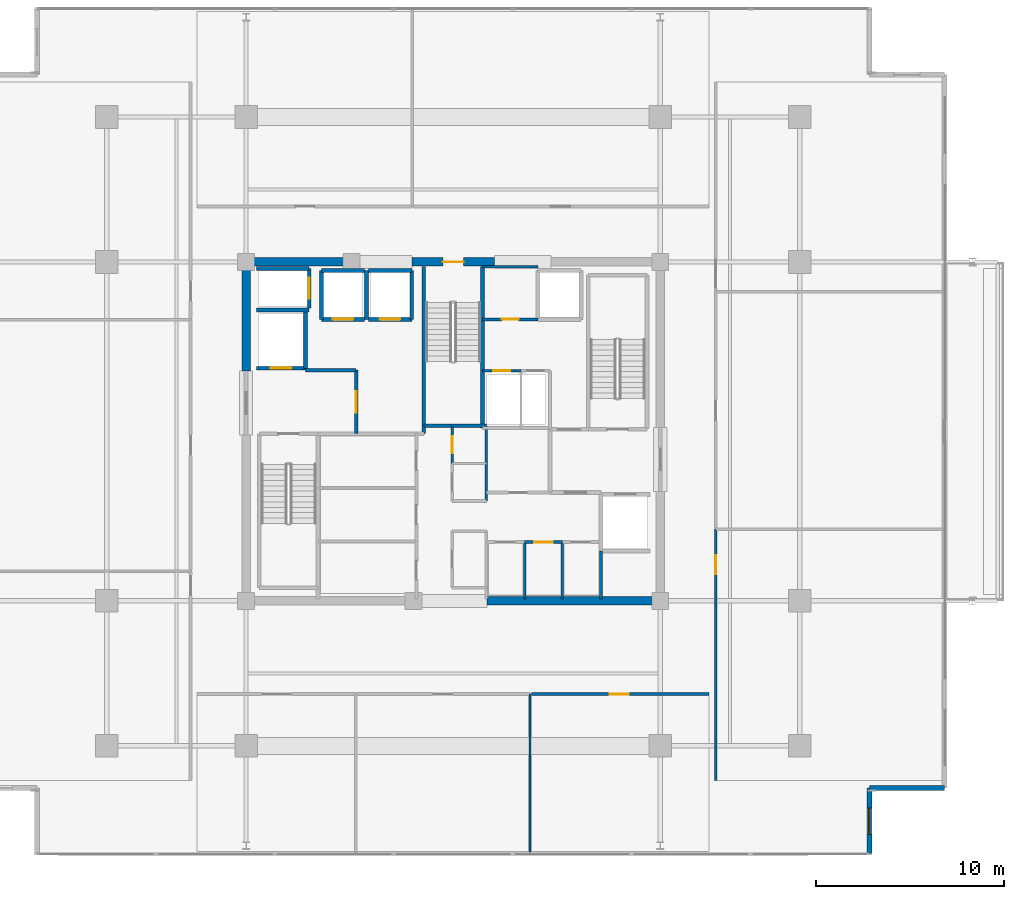
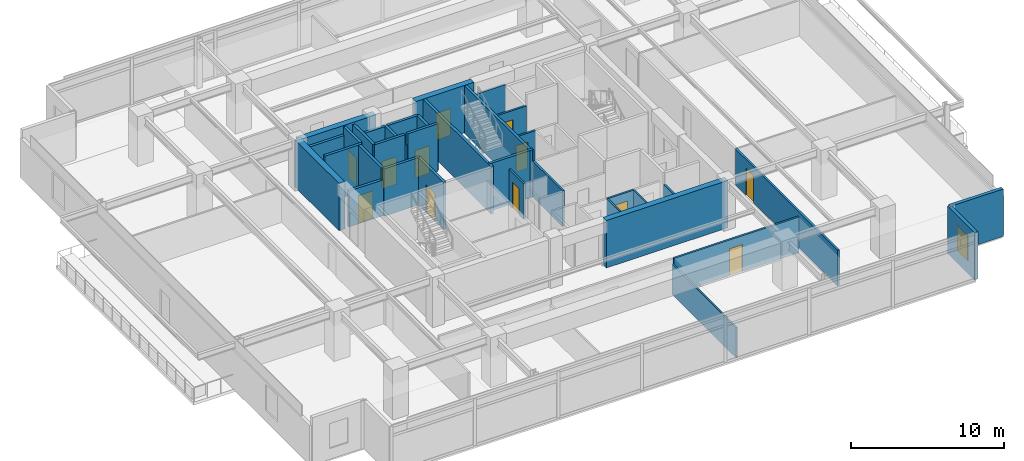
# One storey, part 18 of 24: 35 walls, 12 doors, 1 window, 13 openings.
"""IFC4 building model written with IfcOpenShell, lengths in metres."""

from ifc_helpers import new_model, si_unit, direction, frame, frame_2d, origin, place, context, subcontext, project, spatial, rectangle, extrude, material, layer, layer_set, type_object, element, fill, save


model = new_model("IFC4")

# Units and contexts
model_context = context("Model", 3, precision=1e-05, world=origin(), true_north=direction((0.0, 1.0)))
body_context = subcontext(model_context, "Body", "Model", "MODEL_VIEW")
ifc_project = project(units=[si_unit("LENGTHUNIT", "METRE"), si_unit("AREAUNIT", "SQUARE_METRE"), si_unit("VOLUMEUNIT", "CUBIC_METRE"), si_unit("PLANEANGLEUNIT", "RADIAN"), si_unit("MASSUNIT", "GRAM", prefix="KILO")], contexts=[model_context])

# Site, building, storey
site_placement = place(None, origin())
site = spatial("IfcSite", under=ifc_project, at=site_placement, CompositionType="ELEMENT")
building_placement = place(site_placement, origin())
building = spatial("IfcBuilding", under=site, at=building_placement, Name="Kovane Verandah Tower", CompositionType="ELEMENT")
storey_placement = place(building_placement, frame((0.0, 0.0, 271.199951171875)))
storey = spatial("IfcBuildingStorey", under=building, at=storey_placement, Name="L63", CompositionType="ELEMENT", Elevation=271.199951171875)

# Wall
ifc_material_1 = material(Name="Fire-Rated Gypsum Stud Partition", Category="gypsum")
ifc_layer_1 = layer(ifc_material_1, 0.14990234375)
ifc_layer_set_1 = layer_set([ifc_layer_1], Name="Fire-Rated Gypsum Stud Partition")
wall_type_1 = type_object("IfcWallType", Name="WL-COR-150", PredefinedType="PARTITIONING", material=ifc_layer_set_1)
wall_1_placement = place(storey_placement, frame((41.760009765625, 23.800048828125, 0.0), z_axis=(0.0, 0.0, 1.0), x_axis=(0.0, 1.0, 0.0)))
element("IfcWall", 1, at=wall_1_placement, inside=storey, type_object=wall_type_1, Name="L63 Central Core Strip Upper East Wall", PredefinedType="PARTITIONING", context=body_context, shape_type="SweptSolid", body=[
    extrude(rectangle(XDim=4.0, YDim=0.14990234375, at=frame_2d((2.0, 0.0))), origin(), (0.0, 0.0, 1.0), 2.85009765625),
])

# Wall, opening, door
wall_2_placement = place(storey_placement, frame((39.949951171875, 25.800048828125, 0.0), z_axis=(0.0, 0.0, 1.0), x_axis=(0.0, 1.0, 0.0)))
wall_2 = element("IfcWall", 2, at=wall_2_placement, inside=storey, type_object=wall_type_1, Name="L63 Accessible Unisex Toilet Partition", PredefinedType="PARTITIONING", context=body_context, shape_type="SweptSolid", body=[
    extrude(rectangle(XDim=2.0, YDim=0.14990234375, at=frame_2d((1.0, 0.0))), origin(), (0.0, 0.0, 1.0), 2.85009765625),
])
opening_1_placement = place(wall_2_placement, frame((0.550048828125, 0.0, 0.0)))
opening_1 = element("IfcOpeningElement", 3, at=opening_1_placement, cuts=wall_2, Name="Opening DR-L63-029", PredefinedType="OPENING", context=body_context, shape_type="SweptSolid", body=[
    extrude(rectangle(XDim=0.89990234375, YDim=2.10009765625, at=frame_2d((0.449951171875, 1.050048828125))), frame((0.0, 0.074951171875, 0.0), z_axis=(0.0, -1.0, 0.0), x_axis=(1.0, 0.0, 0.0)), (0.0, 0.0, 1.0), 0.14990234375),
])
ifc_material_2 = material(Name="Moisture-Resistant Laminate Washroom Door", Category="wood")
door_type_1 = type_object("IfcDoorType", Name="DR-WC-900", OperationType="SINGLE_SWING_LEFT", PredefinedType="DOOR", material=ifc_material_2)
door_1_placement = place(opening_1_placement, origin())
door_1 = element("IfcDoor", 4, at=door_1_placement, inside=storey, type_object=door_type_1, Name="L63 Accessible Unisex Toilet Door", OperationType="SINGLE_SWING_LEFT", OverallHeight=2.10009765625, OverallWidth=0.89990234375, PredefinedType="DOOR", context=body_context, shape_type="SweptSolid", body=[
    extrude(rectangle(XDim=0.89990234375, YDim=2.10009765625, at=frame_2d((0.449951171875, 1.050048828125))), frame((0.0, 0.02490234375, 0.0), z_axis=(0.0, -1.0, 0.0), x_axis=(1.0, 0.0, 0.0)), (0.0, 0.0, 1.0), 0.050048828125),
])
fill(opening_1, door_1)

# Wall
wall_3_placement = place(storey_placement, frame((47.85009765625, 18.60009765625, 0.0), z_axis=(0.0, 0.0, 1.0), x_axis=(0.0, 1.0, 0.0)))
element("IfcWall", 5, at=wall_3_placement, inside=storey, type_object=wall_type_1, Name="L63 East Core Support East Wall", PredefinedType="PARTITIONING", context=body_context, shape_type="SweptSolid", body=[
    extrude(rectangle(XDim=2.539794921875, YDim=0.14990234375, at=frame_2d((1.27001953125, 0.0))), origin(), (0.0, 0.0, 1.0), 2.85009765625),
])

# Wall, opening, door
wall_4_placement = place(storey_placement, frame((43.800048828125, 21.6201171875, 0.0), z_axis=(0.0, 0.0, 1.0), x_axis=(1.0, 0.0, 0.0)))
wall_4 = element("IfcWall", 6, at=wall_4_placement, inside=storey, type_object=wall_type_1, Name="L63 First Aid Room Partition", PredefinedType="PARTITIONING", context=body_context, shape_type="SweptSolid", body=[
    extrude(rectangle(XDim=2.0, YDim=0.14990234375, at=frame_2d((1.0, 0.0))), origin(), (0.0, 0.0, 1.0), 2.85009765625),
])
opening_2_placement = place(wall_4_placement, frame((0.5, 0.0, 0.0)))
opening_2 = element("IfcOpeningElement", 7, at=opening_2_placement, cuts=wall_4, Name="Opening DR-L63-018", PredefinedType="OPENING", context=body_context, shape_type="SweptSolid", body=[
    extrude(rectangle(XDim=1.0, YDim=2.14990234375, at=frame_2d((0.5, 1.074951171875))), frame((0.0, 0.074951171875, 0.0), z_axis=(0.0, -1.0, 0.0), x_axis=(1.0, 0.0, 0.0)), (0.0, 0.0, 1.0), 0.14990234375),
])
ifc_material_3 = material(Name="FSC Spotted-Gum Timber Fire-Rated Office Door", Category="wood")
door_type_2 = type_object("IfcDoorType", Name="DR-OFF-1000", OperationType="SINGLE_SWING_LEFT", PredefinedType="DOOR", material=ifc_material_3)
door_2_placement = place(opening_2_placement, origin())
door_2 = element("IfcDoor", 8, at=door_2_placement, inside=storey, type_object=door_type_2, Name="L63 First Aid Room Door", OperationType="SINGLE_SWING_RIGHT", OverallHeight=2.14990234375, OverallWidth=1.0, PredefinedType="DOOR", context=body_context, shape_type="SweptSolid", body=[
    extrude(rectangle(XDim=1.0, YDim=2.14990234375, at=frame_2d((0.5, 1.074951171875))), frame((0.0, 0.02490234375, 0.0), z_axis=(0.0, -1.0, 0.0), x_axis=(1.0, 0.0, 0.0)), (0.0, 0.0, 1.0), 0.050048828125),
])
fill(opening_2, door_2)

wall_5_placement = place(storey_placement, frame((41.56005859375, 30.719970703125, 0.0), z_axis=(0.0, 0.0, 1.0), x_axis=(1.0, 0.0, 0.0)))
wall_5 = element("IfcWall", 9, at=wall_5_placement, inside=storey, type_object=wall_type_1, Name="L63 Electrical Sub-Main Riser Room Partition", PredefinedType="PARTITIONING", context=body_context, shape_type="SweptSolid", body=[
    extrude(rectangle(XDim=2.0400390625, YDim=0.14990234375, at=frame_2d((1.02001953125, 0.0))), origin(), (0.0, 0.0, 1.0), 2.85009765625),
])
opening_3_placement = place(wall_5_placement, frame((0.580078125, 0.0, 0.0)))
opening_3 = element("IfcOpeningElement", 10, at=opening_3_placement, cuts=wall_5, Name="Opening DR-L63-022", PredefinedType="OPENING", context=body_context, shape_type="SweptSolid", body=[
    extrude(rectangle(XDim=0.8798828125, YDim=2.10009765625, at=frame_2d((0.43994140625, 1.050048828125))), frame((0.0, 0.074951171875, 0.0), z_axis=(0.0, -1.0, 0.0), x_axis=(1.0, 0.0, 0.0)), (0.0, 0.0, 1.0), 0.14990234375),
])
ifc_material_4 = material(Name="Fire-Rated Steel Riser Access Door", Category="steel")
door_type_3 = type_object("IfcDoorType", Name="DR-RISER-880", OperationType="SINGLE_SWING_LEFT", PredefinedType="DOOR", material=ifc_material_4)
door_3_placement = place(opening_3_placement, origin())
door_3 = element("IfcDoor", 11, at=door_3_placement, inside=storey, type_object=door_type_3, Name="L63 Electrical Sub-Main Riser Room Door", OperationType="SINGLE_SWING_LEFT", OverallHeight=2.10009765625, OverallWidth=0.8798828125, PredefinedType="DOOR", context=body_context, shape_type="SweptSolid", body=[
    extrude(rectangle(XDim=0.8798828125, YDim=2.10009765625, at=frame_2d((0.43994140625, 1.050048828125))), frame((0.0, 0.02490234375, 0.0), z_axis=(0.0, -1.0, 0.0), x_axis=(1.0, 0.0, 0.0)), (0.0, 0.0, 1.0), 0.050048828125),
])
fill(opening_3, door_3)

# Wall
wall_6_placement = place(storey_placement, frame((41.56005859375, 36.25, 0.0), z_axis=(0.0, 0.0, 1.0), x_axis=(1.0, 0.0, 0.0)))
element("IfcWall", 12, at=wall_6_placement, inside=storey, type_object=wall_type_1, Name="L63 Sky Telecom Riser North Wall", PredefinedType="PARTITIONING", context=body_context, shape_type="SweptSolid", body=[
    extrude(rectangle(XDim=2.93994140625, YDim=0.14990234375, at=frame_2d((1.469970703125, 0.0))), origin(), (0.0, 0.0, 1.0), 2.85009765625),
])

# Wall, opening, door
wall_7_placement = place(storey_placement, frame((41.56005859375, 33.449951171875, 0.0), z_axis=(0.0, 0.0, 1.0), x_axis=(1.0, 0.0, 0.0)))
wall_7 = element("IfcWall", 13, at=wall_7_placement, inside=storey, type_object=wall_type_1, Name="L63 Sky Telecom Riser Room Partition", PredefinedType="PARTITIONING", context=body_context, shape_type="SweptSolid", body=[
    extrude(rectangle(XDim=2.93994140625, YDim=0.14990234375, at=frame_2d((1.469970703125, 0.0))), origin(), (0.0, 0.0, 1.0), 2.85009765625),
])
opening_4_placement = place(wall_7_placement, frame((1.030029296875, 0.0, 0.0)))
opening_4 = element("IfcOpeningElement", 14, at=opening_4_placement, cuts=wall_7, Name="Opening DR-L63-021", PredefinedType="OPENING", context=body_context, shape_type="SweptSolid", body=[
    extrude(rectangle(XDim=0.8798828125, YDim=2.10009765625, at=frame_2d((0.43994140625, 1.050048828125))), frame((0.0, 0.074951171875, 0.0), z_axis=(0.0, -1.0, 0.0), x_axis=(1.0, 0.0, 0.0)), (0.0, 0.0, 1.0), 0.14990234375),
])
door_4_placement = place(opening_4_placement, origin())
door_4 = element("IfcDoor", 15, at=door_4_placement, inside=storey, type_object=door_type_3, Name="L63 Sky Telecom Riser Room Door", OperationType="SINGLE_SWING_LEFT", OverallHeight=2.10009765625, OverallWidth=0.8798828125, PredefinedType="DOOR", context=body_context, shape_type="SweptSolid", body=[
    extrude(rectangle(XDim=0.8798828125, YDim=2.10009765625, at=frame_2d((0.43994140625, 1.050048828125))), frame((0.0, 0.02490234375, 0.0), z_axis=(0.0, -1.0, 0.0), x_axis=(1.0, 0.0, 0.0)), (0.0, 0.0, 1.0), 0.050048828125),
])
fill(opening_4, door_4)

wall_8_placement = place(storey_placement, frame((44.14990234375, 13.550048828125, 0.0), z_axis=(0.0, 0.0, 1.0), x_axis=(1.0, 0.0, 0.0)))
wall_8 = element("IfcWall", 16, at=wall_8_placement, inside=storey, type_object=wall_type_1, Name="L63 Focus Studio S3 Corridor Partition", PredefinedType="PARTITIONING", context=body_context, shape_type="SweptSolid", body=[
    extrude(rectangle(XDim=9.4501953125, YDim=0.14990234375, at=frame_2d((4.72509765625, 0.0))), origin(), (0.0, 0.0, 1.0), 2.85009765625),
])
opening_5_placement = place(wall_8_placement, frame((4.175048828125, 0.0, 0.0)))
opening_5 = element("IfcOpeningElement", 17, at=opening_5_placement, cuts=wall_8, Name="Opening DR-L63-028", PredefinedType="OPENING", context=body_context, shape_type="SweptSolid", body=[
    extrude(rectangle(XDim=1.0, YDim=2.14990234375, at=frame_2d((0.5, 1.074951171875))), frame((0.0, 0.074951171875, 0.0), z_axis=(0.0, -1.0, 0.0), x_axis=(1.0, 0.0, 0.0)), (0.0, 0.0, 1.0), 0.14990234375),
])
door_5_placement = place(opening_5_placement, origin())
door_5 = element("IfcDoor", 18, at=door_5_placement, inside=storey, type_object=door_type_2, Name="L63 Focus Studio S3 Entrance Door", OperationType="SINGLE_SWING_RIGHT", OverallHeight=2.14990234375, OverallWidth=1.0, PredefinedType="DOOR", context=body_context, shape_type="SweptSolid", body=[
    extrude(rectangle(XDim=1.0, YDim=2.14990234375, at=frame_2d((0.5, 1.074951171875))), frame((0.0, 0.02490234375, 0.0), z_axis=(0.0, -1.0, 0.0), x_axis=(1.0, 0.0, 0.0)), (0.0, 0.0, 1.0), 0.050048828125),
])
fill(opening_5, door_5)

wall_9_placement = place(storey_placement, frame((53.949951171875, 8.950439453125, 0.0), z_axis=(0.0, 0.0, 1.0), x_axis=(0.0, 1.0, 0.0)))
wall_9 = element("IfcWall", 19, at=wall_9_placement, inside=storey, type_object=wall_type_1, Name="L63 Open Plan Office E1 Corridor Partition", PredefinedType="PARTITIONING", context=body_context, shape_type="SweptSolid", body=[
    extrude(rectangle(XDim=13.355712890625, YDim=0.14990234375, at=frame_2d((6.677734375, 0.0))), origin(), (0.0, 0.0, 1.0), 2.85009765625),
])
opening_6_placement = place(wall_9_placement, frame((10.9677734375, 0.0, 0.0)))
opening_6 = element("IfcOpeningElement", 20, at=opening_6_placement, cuts=wall_9, Name="Opening DR-L63-011", PredefinedType="OPENING", context=body_context, shape_type="SweptSolid", body=[
    extrude(rectangle(XDim=1.0, YDim=2.14990234375, at=frame_2d((0.5, 1.074951171875))), frame((0.0, 0.074951171875, 0.0), z_axis=(0.0, -1.0, 0.0), x_axis=(1.0, 0.0, 0.0)), (0.0, 0.0, 1.0), 0.14990234375),
])
door_6_placement = place(opening_6_placement, origin())
door_6 = element("IfcDoor", 21, at=door_6_placement, inside=storey, type_object=door_type_2, Name="L63 Open Plan Office E1 Entrance Door", OperationType="SINGLE_SWING_RIGHT", OverallHeight=2.14990234375, OverallWidth=1.0, PredefinedType="DOOR", context=body_context, shape_type="SweptSolid", body=[
    extrude(rectangle(XDim=1.0, YDim=2.14990234375, at=frame_2d((0.5, 1.074951171875))), frame((0.0, 0.02490234375, 0.0), z_axis=(0.0, -1.0, 0.0), x_axis=(1.0, 0.0, 0.0)), (0.0, 0.0, 1.0), 0.050048828125),
])
fill(opening_6, door_6)

# Walls
ifc_material_5 = material(Name="Concrete C60/75", Category="concrete")
ifc_layer_2 = layer(ifc_material_5, 0.449951171875)
ifc_layer_set_2 = layer_set([ifc_layer_2], Name="Concrete C60/75")
wall_type_2 = type_object("IfcWallType", Name="WL-CORE-450", PredefinedType="SHEAR", material=ifc_layer_set_2)
wall_10_placement = place(storey_placement, frame((41.800048828125, 18.5, 0.0), z_axis=(0.0, 0.0, 1.0), x_axis=(1.0, 0.0, 0.0)))
element("IfcWall", 22, at=wall_10_placement, inside=storey, type_object=wall_type_2, Name="L63 Core Shear Wall CS-2", PredefinedType="SHEAR", context=body_context, shape_type="SweptSolid", body=[
    extrude(rectangle(XDim=9.199951171875, YDim=0.449951171875, at=frame_2d((4.60009765625, 0.0))), origin(), (0.0, 0.0, 1.0), 3.78515625),
])
wall_11_placement = place(storey_placement, frame((29.0, 36.5, 0.0), z_axis=(0.0, 0.0, 1.0), x_axis=(1.0, 0.0, 0.0)))
element("IfcWall", 23, at=wall_11_placement, inside=storey, type_object=wall_type_2, Name="L63 Core Shear Wall CN-1", PredefinedType="SHEAR", context=body_context, shape_type="SweptSolid", body=[
    extrude(rectangle(XDim=5.800048828125, YDim=0.449951171875, at=frame_2d((2.89990234375, 0.0))), origin(), (0.0, 0.0, 1.0), 3.78515625),
])

# Wall, opening, door
wall_12_placement = place(storey_placement, frame((37.800048828125, 36.5, 0.0), z_axis=(0.0, 0.0, 1.0), x_axis=(1.0, 0.0, 0.0)))
wall_12 = element("IfcWall", 24, at=wall_12_placement, inside=storey, type_object=wall_type_2, Name="L63 Core Shear Wall CN-2", PredefinedType="SHEAR", context=body_context, shape_type="SweptSolid", body=[
    extrude(rectangle(XDim=4.39990234375, YDim=0.449951171875, at=frame_2d((2.199951171875, 0.0))), origin(), (0.0, 0.0, 1.0), 3.78515625),
])
opening_7_placement = place(wall_12_placement, frame((1.64990234375, 0.0, 0.0)))
opening_7 = element("IfcOpeningElement", 25, at=opening_7_placement, cuts=wall_12, Name="Opening DR-L63-010", PredefinedType="OPENING", context=body_context, shape_type="SweptSolid", body=[
    extrude(rectangle(XDim=1.10009765625, YDim=2.14990234375, at=frame_2d((0.550048828125, 1.074951171875))), frame((0.0, 0.22509765625, 0.0), z_axis=(0.0, -1.0, 0.0), x_axis=(1.0, 0.0, 0.0)), (0.0, 0.0, 1.0), 0.449951171875),
])
ifc_material_6 = material(Name="Fire-Rated Steel Exit Door", Category="steel")
door_type_4 = type_object("IfcDoorType", Name="DR-STAIR-1100", OperationType="SINGLE_SWING_LEFT", PredefinedType="DOOR", material=ifc_material_6)
door_7_placement = place(opening_7_placement, origin())
door_7 = element("IfcDoor", 26, at=door_7_placement, inside=storey, type_object=door_type_4, Name="L63 ST-03 Fire Exit Stair Door", OperationType="SINGLE_SWING_RIGHT", OverallHeight=2.14990234375, OverallWidth=1.10009765625, PredefinedType="DOOR", context=body_context, shape_type="SweptSolid", body=[
    extrude(rectangle(XDim=1.10009765625, YDim=2.14990234375, at=frame_2d((0.550048828125, 1.074951171875))), frame((0.0, 0.02490234375, 0.0), z_axis=(0.0, -1.0, 0.0), x_axis=(1.0, 0.0, 0.0)), (0.0, 0.0, 1.0), 0.050048828125),
])
fill(opening_7, door_7)

# Wall
wall_13_placement = place(storey_placement, frame((29.0, 30.699951171875, 0.0), z_axis=(0.0, 0.0, 1.0), x_axis=(0.0, 1.0, 0.0)))
element("IfcWall", 27, at=wall_13_placement, inside=storey, type_object=wall_type_2, Name="L63 Core Shear Wall CW-2", PredefinedType="SHEAR", context=body_context, shape_type="SweptSolid", body=[
    extrude(rectangle(XDim=5.800048828125, YDim=0.449951171875, at=frame_2d((2.89990234375, 0.0))), origin(), (0.0, 0.0, 1.0), 3.78515625),
])

# Wall, opening, door
ifc_material_7 = material(Name="Concrete C45/55 Fire Wall", Category="concrete")
ifc_layer_3 = layer(ifc_material_7, 0.199951171875)
ifc_layer_set_3 = layer_set([ifc_layer_3], Name="Concrete C45/55 Fire Wall")
wall_type_3 = type_object("IfcWallType", Name="WL-FFL-200", PredefinedType="PARTITIONING", material=ifc_layer_set_3)
wall_14_placement = place(storey_placement, frame((34.85009765625, 27.3798828125, 0.0), z_axis=(0.0, 0.0, 1.0), x_axis=(0.0, 1.0, 0.0)))
wall_14 = element("IfcWall", 28, at=wall_14_placement, inside=storey, type_object=wall_type_3, Name="W-L63-FFLW-E", PredefinedType="PARTITIONING", context=body_context, shape_type="SweptSolid", body=[
    extrude(rectangle(XDim=3.3701171875, YDim=0.199951171875, at=frame_2d((1.68505859375, 0.0))), origin(), (0.0, 0.0, 1.0), 3.78515625),
])
opening_8_placement = place(wall_14_placement, frame((1.110107421875, 0.0, 0.0)))
opening_8 = element("IfcOpeningElement", 29, at=opening_8_placement, cuts=wall_14, Name="Opening DR-L63-006", PredefinedType="OPENING", context=body_context, shape_type="SweptSolid", body=[
    extrude(rectangle(XDim=1.14990234375, YDim=2.199951171875, at=frame_2d((0.574951171875, 1.10009765625))), frame((0.0, 0.10009765625, 0.0), z_axis=(0.0, -1.0, 0.0), x_axis=(1.0, 0.0, 0.0)), (0.0, 0.0, 1.0), 0.199951171875),
])
ifc_material_8 = material(Name="Smoke-Sealed Firefighting Lobby Door", Category="steel")
door_type_5 = type_object("IfcDoorType", Name="DR-FFL-1150", OperationType="SINGLE_SWING_LEFT", PredefinedType="DOOR", material=ifc_material_8)
door_8_placement = place(opening_8_placement, origin())
door_8 = element("IfcDoor", 30, at=door_8_placement, inside=storey, type_object=door_type_5, Name="L63 West Firefighting Lobby Inner Door", OperationType="SINGLE_SWING_LEFT", OverallHeight=2.199951171875, OverallWidth=1.14990234375, PredefinedType="DOOR", context=body_context, shape_type="SweptSolid", body=[
    extrude(rectangle(XDim=1.14990234375, YDim=2.199951171875, at=frame_2d((0.574951171875, 1.10009765625))), frame((0.0, 0.02490234375, 0.0), z_axis=(0.0, -1.0, 0.0), x_axis=(1.0, 0.0, 0.0)), (0.0, 0.0, 1.0), 0.050048828125),
])
fill(opening_8, door_8)

# Wall
wall_15_placement = place(storey_placement, frame((32.14990234375, 30.75, 0.0), z_axis=(0.0, 0.0, 1.0), x_axis=(1.0, 0.0, 0.0)))
element("IfcWall", 31, at=wall_15_placement, inside=storey, type_object=wall_type_3, Name="L63 West Firefighting Lobby North Fire Wall", PredefinedType="PARTITIONING", context=body_context, shape_type="SweptSolid", body=[
    extrude(rectangle(XDim=2.7001953125, YDim=0.199951171875, at=frame_2d((1.35009765625, 0.0))), origin(), (0.0, 0.0, 1.0), 3.78515625),
])

# Wall, opening, door
ifc_material_9 = material(Name="Concrete C45/55 Lift Shaft Wall", Category="concrete")
ifc_layer_4 = layer(ifc_material_9, 0.199951171875)
ifc_layer_set_4 = layer_set([ifc_layer_4], Name="Concrete C45/55 Lift Shaft Wall")
wall_type_4 = type_object("IfcWallType", Name="WL-LIFT-200", PredefinedType="SOLIDWALL", material=ifc_layer_set_4)
wall_16_placement = place(storey_placement, frame((29.550048828125, 30.85009765625, 0.0), z_axis=(0.0, 0.0, 1.0), x_axis=(1.0, 0.0, 0.0)))
wall_16 = element("IfcWall", 32, at=wall_16_placement, inside=storey, type_object=wall_type_4, Name="L63 Lift FL-01 S Shaft Wall", PredefinedType="SOLIDWALL", context=body_context, shape_type="SweptSolid", body=[
    extrude(rectangle(XDim=2.599853515625, YDim=0.199951171875, at=frame_2d((1.2998046875, 0.0))), origin(), (0.0, 0.0, 1.0), 2.864990234375),
])
opening_9_placement = place(wall_16_placement, frame((0.75, 0.0, 0.0)))
opening_9 = element("IfcOpeningElement", 33, at=opening_9_placement, cuts=wall_16, Name="Opening LD-L63-001", PredefinedType="OPENING", context=body_context, shape_type="SweptSolid", body=[
    extrude(rectangle(XDim=1.10009765625, YDim=2.199951171875, at=frame_2d((0.550048828125, 1.10009765625))), frame((0.0, 0.10009765625, 0.0), z_axis=(0.0, -1.0, 0.0), x_axis=(1.0, 0.0, 0.0)), (0.0, 0.0, 1.0), 0.199951171875),
])
ifc_material_10 = material(Name="Brushed Stainless Steel Sliding Lift Landing Door", Category="steel")
door_type_6 = type_object("IfcDoorType", Name="DR-LIFT-1100", OperationType="SLIDING_TO_RIGHT", PredefinedType="DOOR", material=ifc_material_10)
door_9_placement = place(opening_9_placement, origin())
door_9 = element("IfcDoor", 34, at=door_9_placement, inside=storey, type_object=door_type_6, Name="L63 Lift FL-01 Sliding Landing Door", OperationType="SLIDING_TO_RIGHT", OverallHeight=2.199951171875, OverallWidth=1.10009765625, PredefinedType="DOOR", context=body_context, shape_type="SweptSolid", body=[
    extrude(rectangle(XDim=1.10009765625, YDim=2.199951171875, at=frame_2d((0.550048828125, 1.10009765625))), frame((0.0, 0.02490234375, 0.0), z_axis=(0.0, -1.0, 0.0), x_axis=(1.0, 0.0, 0.0)), (0.0, 0.0, 1.0), 0.050048828125),
])
fill(opening_9, door_9)

# Walls
wall_17_placement = place(storey_placement, frame((29.550048828125, 33.949951171875, 0.0), z_axis=(0.0, 0.0, 1.0), x_axis=(1.0, 0.0, 0.0)))
element("IfcWall", 35, at=wall_17_placement, inside=storey, type_object=wall_type_4, Name="L63 Lift FL-01 and GL-01 Shared Shaft Wall", PredefinedType="SOLIDWALL", context=body_context, shape_type="SweptSolid", body=[
    extrude(rectangle(XDim=2.800048828125, YDim=0.199951171875, at=frame_2d((1.39990234375, 0.0))), origin(), (0.0, 0.0, 1.0), 3.78515625),
])
wall_18_placement = place(storey_placement, frame((32.14990234375, 30.85009765625, 0.0), z_axis=(0.0, 0.0, 1.0), x_axis=(0.0, 1.0, 0.0)))
element("IfcWall", 36, at=wall_18_placement, inside=storey, type_object=wall_type_4, Name="L63 Lift FL-01 E Shaft Wall", PredefinedType="SOLIDWALL", context=body_context, shape_type="SweptSolid", body=[
    extrude(rectangle(XDim=3.0, YDim=0.199951171875, at=frame_2d((1.5, 0.0))), origin(), (0.0, 0.0, 1.0), 3.78515625),
])
wall_19_placement = place(storey_placement, frame((32.35009765625, 36.14990234375, 0.0), z_axis=(0.0, 0.0, 1.0), x_axis=(-1.0, 0.0, 0.0)))
element("IfcWall", 37, at=wall_19_placement, inside=storey, type_object=wall_type_4, Name="L63 Lift GL-01 N Shaft Wall", PredefinedType="SOLIDWALL", context=body_context, shape_type="SweptSolid", body=[
    extrude(rectangle(XDim=2.800048828125, YDim=0.199951171875, at=frame_2d((1.39990234375, 0.0))), origin(), (0.0, 0.0, 1.0), 3.14794921875),
])

# Wall, opening, door
wall_20_placement = place(storey_placement, frame((32.35009765625, 34.050048828125, 0.0), z_axis=(0.0, 0.0, 1.0), x_axis=(0.0, 1.0, 0.0)))
wall_20 = element("IfcWall", 38, at=wall_20_placement, inside=storey, type_object=wall_type_4, Name="L63 Lift GL-01 E Shaft Wall", PredefinedType="SOLIDWALL", context=body_context, shape_type="SweptSolid", body=[
    extrude(rectangle(XDim=2.099853515625, YDim=0.199951171875, at=frame_2d((1.0498046875, 0.0))), origin(), (0.0, 0.0, 1.0), 3.78515625),
])
opening_10_placement = place(wall_20_placement, frame((0.5, 0.0, 0.0)))
opening_10 = element("IfcOpeningElement", 39, at=opening_10_placement, cuts=wall_20, Name="Opening LD-L63-003", PredefinedType="OPENING", context=body_context, shape_type="SweptSolid", body=[
    extrude(rectangle(XDim=1.10009765625, YDim=2.199951171875, at=frame_2d((0.550048828125, 1.10009765625))), frame((0.0, 0.10009765625, 0.0), z_axis=(0.0, -1.0, 0.0), x_axis=(1.0, 0.0, 0.0)), (0.0, 0.0, 1.0), 0.199951171875),
])
door_10_placement = place(opening_10_placement, origin())
door_10 = element("IfcDoor", 40, at=door_10_placement, inside=storey, type_object=door_type_6, Name="L63 Lift GL-01 Sliding Landing Door", OperationType="SLIDING_TO_RIGHT", OverallHeight=2.199951171875, OverallWidth=1.10009765625, PredefinedType="DOOR", context=body_context, shape_type="SweptSolid", body=[
    extrude(rectangle(XDim=1.10009765625, YDim=2.199951171875, at=frame_2d((0.550048828125, 1.10009765625))), frame((0.0, 0.02490234375, 0.0), z_axis=(0.0, -1.0, 0.0), x_axis=(1.0, 0.0, 0.0)), (0.0, 0.0, 1.0), 0.050048828125),
])
fill(opening_10, door_10)

wall_21_placement = place(storey_placement, frame((33.0, 33.449951171875, 0.0), z_axis=(0.0, 0.0, 1.0), x_axis=(1.0, 0.0, 0.0)))
wall_21 = element("IfcWall", 41, at=wall_21_placement, inside=storey, type_object=wall_type_4, Name="L63 Lift PL-H1 S Shaft Wall", PredefinedType="SOLIDWALL", context=body_context, shape_type="SweptSolid", body=[
    extrude(rectangle(XDim=2.300048828125, YDim=0.199951171875, at=frame_2d((1.14990234375, 0.0))), origin(), (0.0, 0.0, 1.0), 3.78515625),
])
opening_11_placement = place(wall_21_placement, frame((0.60009765625, 0.0, 0.0)))
opening_11 = element("IfcOpeningElement", 42, at=opening_11_placement, cuts=wall_21, Name="Opening LD-L63-004", PredefinedType="OPENING", context=body_context, shape_type="SweptSolid", body=[
    extrude(rectangle(XDim=1.10009765625, YDim=2.199951171875, at=frame_2d((0.550048828125, 1.10009765625))), frame((0.0, 0.10009765625, 0.0), z_axis=(0.0, -1.0, 0.0), x_axis=(1.0, 0.0, 0.0)), (0.0, 0.0, 1.0), 0.199951171875),
])
door_11_placement = place(opening_11_placement, origin())
door_11 = element("IfcDoor", 43, at=door_11_placement, inside=storey, type_object=door_type_6, Name="L63 Lift PL-H1 Sliding Landing Door", OperationType="SLIDING_TO_RIGHT", OverallHeight=2.199951171875, OverallWidth=1.10009765625, PredefinedType="DOOR", context=body_context, shape_type="SweptSolid", body=[
    extrude(rectangle(XDim=1.10009765625, YDim=2.199951171875, at=frame_2d((0.550048828125, 1.10009765625))), frame((0.0, 0.02490234375, 0.0), z_axis=(0.0, -1.0, 0.0), x_axis=(1.0, 0.0, 0.0)), (0.0, 0.0, 1.0), 0.050048828125),
])
fill(opening_11, door_11)

# Walls
wall_22_placement = place(storey_placement, frame((35.300048828125, 36.050048828125, 0.0), z_axis=(0.0, 0.0, 1.0), x_axis=(-1.0, 0.0, 0.0)))
element("IfcWall", 44, at=wall_22_placement, inside=storey, type_object=wall_type_4, Name="L63 Lift PL-H1 N Shaft Wall", PredefinedType="SOLIDWALL", context=body_context, shape_type="SweptSolid", body=[
    extrude(rectangle(XDim=2.300048828125, YDim=0.199951171875, at=frame_2d((1.14990234375, 0.0))), origin(), (0.0, 0.0, 1.0), 2.864990234375),
])
wall_23_placement = place(storey_placement, frame((33.0, 36.050048828125, 0.0), z_axis=(0.0, 0.0, 1.0), x_axis=(0.0, -1.0, 0.0)))
element("IfcWall", 45, at=wall_23_placement, inside=storey, type_object=wall_type_4, Name="L63 Lift PL-H1 W Shaft Wall", PredefinedType="SOLIDWALL", context=body_context, shape_type="SweptSolid", body=[
    extrude(rectangle(XDim=2.60009765625, YDim=0.199951171875, at=frame_2d((1.300048828125, 0.0))), origin(), (0.0, 0.0, 1.0), 3.78515625),
])
wall_24_placement = place(storey_placement, frame((35.39990234375, 33.449951171875, 0.0), z_axis=(0.0, 0.0, 1.0), x_axis=(0.0, 1.0, 0.0)))
element("IfcWall", 46, at=wall_24_placement, inside=storey, type_object=wall_type_4, Name="L63 Lift PL-H1 and PL-H2 Shared Shaft Wall", PredefinedType="SOLIDWALL", context=body_context, shape_type="SweptSolid", body=[
    extrude(rectangle(XDim=2.60009765625, YDim=0.199951171875, at=frame_2d((1.300048828125, 0.0))), origin(), (0.0, 0.0, 1.0), 2.864990234375),
])

# Wall, opening, door
wall_25_placement = place(storey_placement, frame((35.5, 33.449951171875, 0.0), z_axis=(0.0, 0.0, 1.0), x_axis=(1.0, 0.0, 0.0)))
wall_25 = element("IfcWall", 47, at=wall_25_placement, inside=storey, type_object=wall_type_4, Name="L63 Lift PL-H2 S Shaft Wall", PredefinedType="SOLIDWALL", context=body_context, shape_type="SweptSolid", body=[
    extrude(rectangle(XDim=2.300048828125, YDim=0.199951171875, at=frame_2d((1.14990234375, 0.0))), origin(), (0.0, 0.0, 1.0), 3.78515625),
])
opening_12_placement = place(wall_25_placement, frame((0.60009765625, 0.0, 0.0)))
opening_12 = element("IfcOpeningElement", 48, at=opening_12_placement, cuts=wall_25, Name="Opening LD-L63-005", PredefinedType="OPENING", context=body_context, shape_type="SweptSolid", body=[
    extrude(rectangle(XDim=1.10009765625, YDim=2.199951171875, at=frame_2d((0.550048828125, 1.10009765625))), frame((0.0, 0.10009765625, 0.0), z_axis=(0.0, -1.0, 0.0), x_axis=(1.0, 0.0, 0.0)), (0.0, 0.0, 1.0), 0.199951171875),
])
door_12_placement = place(opening_12_placement, origin())
door_12 = element("IfcDoor", 49, at=door_12_placement, inside=storey, type_object=door_type_6, Name="L63 Lift PL-H2 Sliding Landing Door", OperationType="SLIDING_TO_RIGHT", OverallHeight=2.199951171875, OverallWidth=1.10009765625, PredefinedType="DOOR", context=body_context, shape_type="SweptSolid", body=[
    extrude(rectangle(XDim=1.10009765625, YDim=2.199951171875, at=frame_2d((0.550048828125, 1.10009765625))), frame((0.0, 0.02490234375, 0.0), z_axis=(0.0, -1.0, 0.0), x_axis=(1.0, 0.0, 0.0)), (0.0, 0.0, 1.0), 0.050048828125),
])
fill(opening_12, door_12)

# Walls
wall_26_placement = place(storey_placement, frame((37.800048828125, 36.050048828125, 0.0), z_axis=(0.0, 0.0, 1.0), x_axis=(-1.0, 0.0, 0.0)))
element("IfcWall", 50, at=wall_26_placement, inside=storey, type_object=wall_type_4, Name="L63 Lift PL-H2 N Shaft Wall", PredefinedType="SOLIDWALL", context=body_context, shape_type="SweptSolid", body=[
    extrude(rectangle(XDim=2.300048828125, YDim=0.199951171875, at=frame_2d((1.14990234375, 0.0))), origin(), (0.0, 0.0, 1.0), 2.864990234375),
])
wall_27_placement = place(storey_placement, frame((37.800048828125, 33.449951171875, 0.0), z_axis=(0.0, 0.0, 1.0), x_axis=(0.0, 1.0, 0.0)))
element("IfcWall", 51, at=wall_27_placement, inside=storey, type_object=wall_type_4, Name="L63 Lift PL-H2 E Shaft Wall", PredefinedType="SOLIDWALL", context=body_context, shape_type="SweptSolid", body=[
    extrude(rectangle(XDim=2.60009765625, YDim=0.199951171875, at=frame_2d((1.300048828125, 0.0))), origin(), (0.0, 0.0, 1.0), 2.864990234375),
])
ifc_material_11 = material(Name="Acoustic Fire-Rated Gypsum Partition", Category="gypsum")
ifc_layer_5 = layer(ifc_material_11, 0.1201171875)
ifc_layer_set_5 = layer_set([ifc_layer_5], Name="Acoustic Fire-Rated Gypsum Partition")
wall_type_5 = type_object("IfcWallType", Name="WL-PART-120", PredefinedType="PARTITIONING", material=ifc_layer_set_5)
for number, where, z_axis, x_axis, name in (
    (52, (43.800048828125, 18.60009765625, 0.0), (0.0, 0.0, 1.0), (0.0, 1.0, 0.0), "L63 East Core Support Dividing Partition 1"),
    (53, (45.800048828125, 18.60009765625, 0.0), (0.0, 0.0, 1.0), (0.0, 1.0, 0.0), "L63 East Core Support Dividing Partition 2"),
):
    element("IfcWall", number, at=place(storey_placement, frame(where, z_axis=z_axis, x_axis=x_axis)), inside=storey, type_object=wall_type_5, Name=name, PredefinedType="PARTITIONING", context=body_context, shape_type="SweptSolid", body=[
        extrude(rectangle(XDim=3.02001953125, YDim=0.1201171875, at=frame_2d((1.510009765625, 0.0))), origin(), (0.0, 0.0, 1.0), 2.85009765625),
    ])
wall_28_placement = place(storey_placement, frame((44.080078125, 5.150390625, 0.0), z_axis=(0.0, 0.0, 1.0), x_axis=(0.0, 1.0, 0.0)))
element("IfcWall", 54, at=wall_28_placement, inside=storey, type_object=wall_type_5, Name="L63 Meeting Room S2 Dividing Partition", PredefinedType="PARTITIONING", context=body_context, shape_type="SweptSolid", body=[
    extrude(rectangle(XDim=8.399658203125, YDim=0.1201171875, at=frame_2d((4.19970703125, 0.0))), origin(), (0.0, 0.0, 1.0), 2.4150390625),
])
ifc_material_12 = material(Name="Concrete C45/55", Category="concrete")
ifc_layer_6 = layer(ifc_material_12, 0.199951171875)
ifc_layer_set_6 = layer_set([ifc_layer_6], Name="Concrete C45/55")
wall_type_6 = type_object("IfcWallType", Name="WL-SHAFT-200", PredefinedType="SOLIDWALL", material=ifc_layer_set_6)
wall_29_placement = place(storey_placement, frame((38.43994140625, 27.3798828125, 0.0), z_axis=(0.0, 0.0, 1.0), x_axis=(0.0, 1.0, 0.0)))
element("IfcWall", 55, at=wall_29_placement, inside=storey, type_object=wall_type_6, Name="W-L63-ST03-W", PredefinedType="SOLIDWALL", context=body_context, shape_type="SweptSolid", body=[
    extrude(rectangle(XDim=8.8701171875, YDim=0.199951171875, at=frame_2d((4.43505859375, 0.0))), origin(), (0.0, 0.0, 1.0), 3.78515625),
])
wall_30_placement = place(storey_placement, frame((41.56005859375, 27.679931640625, 0.0), z_axis=(0.0, 0.0, 1.0), x_axis=(0.0, 1.0, 0.0)))
element("IfcWall", 56, at=wall_30_placement, inside=storey, type_object=wall_type_6, Name="W-L63-ST03-E", PredefinedType="SOLIDWALL", context=body_context, shape_type="SweptSolid", body=[
    extrude(rectangle(XDim=8.570068359375, YDim=0.199951171875, at=frame_2d((4.28515625, 0.0))), origin(), (0.0, 0.0, 1.0), 3.78515625),
])
wall_31_placement = place(storey_placement, frame((38.43994140625, 27.800048828125, 0.0), z_axis=(0.0, 0.0, 1.0), x_axis=(1.0, 0.0, 0.0)))
element("IfcWall", 57, at=wall_31_placement, inside=storey, type_object=wall_type_6, Name="W-L63-ST03-S", PredefinedType="SOLIDWALL", context=body_context, shape_type="SweptSolid", body=[
    extrude(rectangle(XDim=3.320068359375, YDim=0.199951171875, at=frame_2d((1.66015625, 0.0))), origin(), (0.0, 0.0, 1.0), 3.78515625),
])

# Wall, opening, window
ifc_material_13 = material(Name="Concrete C45/55 Insulated Spandrel Wall", Category="concrete")
ifc_layer_7 = layer(ifc_material_13, 0.260009765625)
ifc_layer_set_7 = layer_set([ifc_layer_7], Name="Concrete C45/55 Insulated Spandrel Wall")
wall_type_7 = type_object("IfcWallType", Name="WL-SPANDREL-260", PredefinedType="PARAPET", material=ifc_layer_set_7)
wall_32_placement = place(storey_placement, frame((62.107177734375, 5.05029296875, 0.0), z_axis=(0.0, 0.0, 1.0), x_axis=(0.0, 1.0, 0.0)))
wall_32 = element("IfcWall", 58, at=wall_32_placement, inside=storey, type_object=wall_type_7, Name="L63 SE Notch Cheek Wall 1", PredefinedType="PARAPET", context=body_context, shape_type="SweptSolid", body=[
    extrude(rectangle(XDim=3.5, YDim=0.260009765625, at=frame_2d((1.75, 0.0))), origin(), (0.0, 0.0, 1.0), 3.78515625),
])
opening_13_placement = place(wall_32_placement, frame((1.050048828125, 0.0, 0.85009765625)))
opening_13 = element("IfcOpeningElement", 59, at=opening_13_placement, cuts=wall_32, Name="Opening W-01", PredefinedType="OPENING", context=body_context, shape_type="SweptSolid", body=[
    extrude(rectangle(XDim=1.39990234375, YDim=2.0, at=frame_2d((0.699951171875, 1.0))), frame((0.0, 0.1298828125, 0.0), z_axis=(0.0, -1.0, 0.0), x_axis=(1.0, 0.0, 0.0)), (0.0, 0.0, 1.0), 0.260009765625),
])
ifc_material_14 = material(Name="Clear Low-E Laminated Double Glazing in Anodised Frame", Category="glass")
window_type = type_object("IfcWindowType", Name="WN-OPER-1400x2000", PartitioningType="SINGLE_PANEL", PredefinedType="WINDOW", material=ifc_material_14)
window_placement = place(opening_13_placement, origin())
window = element("IfcWindow", 60, at=window_placement, inside=storey, type_object=window_type, Name="L63 SE Re-Entrant Corner Operable Window", OverallHeight=2.0, OverallWidth=1.39990234375, PartitioningType="SINGLE_PANEL", PredefinedType="WINDOW", context=body_context, shape_type="SweptSolid", body=[
    extrude(rectangle(XDim=1.39990234375, YDim=2.0, at=frame_2d((0.699951171875, 1.0))), frame((0.0, 0.030029296875, 0.0), z_axis=(0.0, -1.0, 0.0), x_axis=(1.0, 0.0, 0.0)), (0.0, 0.0, 1.0), 0.06005859375),
])
fill(opening_13, window)

# Wall
wall_33_placement = place(storey_placement, frame((62.107177734375, 8.55029296875, 0.0), z_axis=(0.0, 0.0, 1.0), x_axis=(1.0, 0.0, 0.0)))
element("IfcWall", 61, at=wall_33_placement, inside=storey, type_object=wall_type_7, Name="L63 SE Notch Cheek Wall 2", PredefinedType="PARAPET", context=body_context, shape_type="SweptSolid", body=[
    extrude(rectangle(XDim=4.0, YDim=0.260009765625, at=frame_2d((2.0, 0.0))), origin(), (0.0, 0.0, 1.0), 3.78515625),
])

save(model, "model.ifc")
